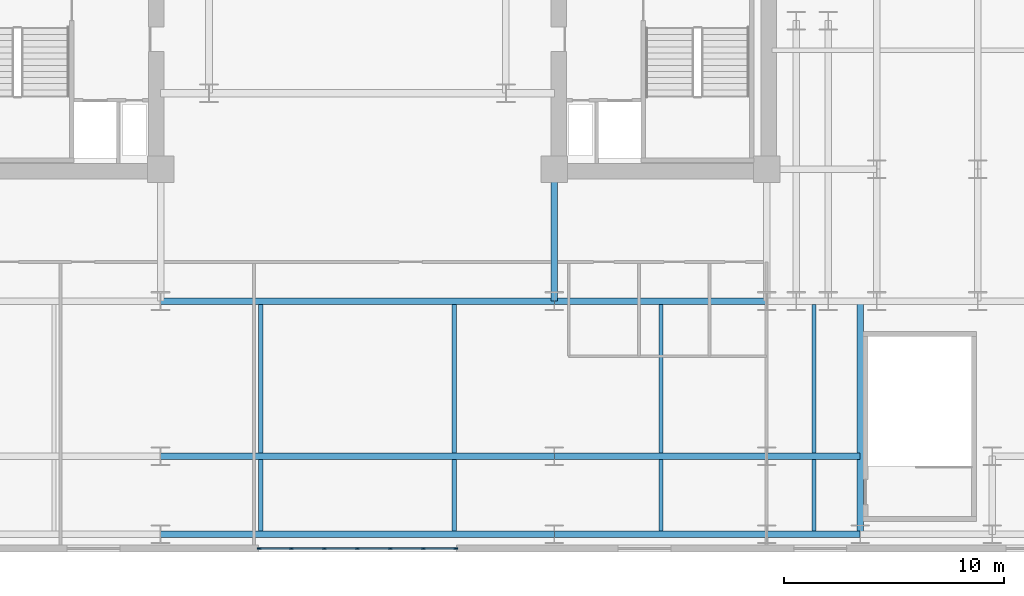
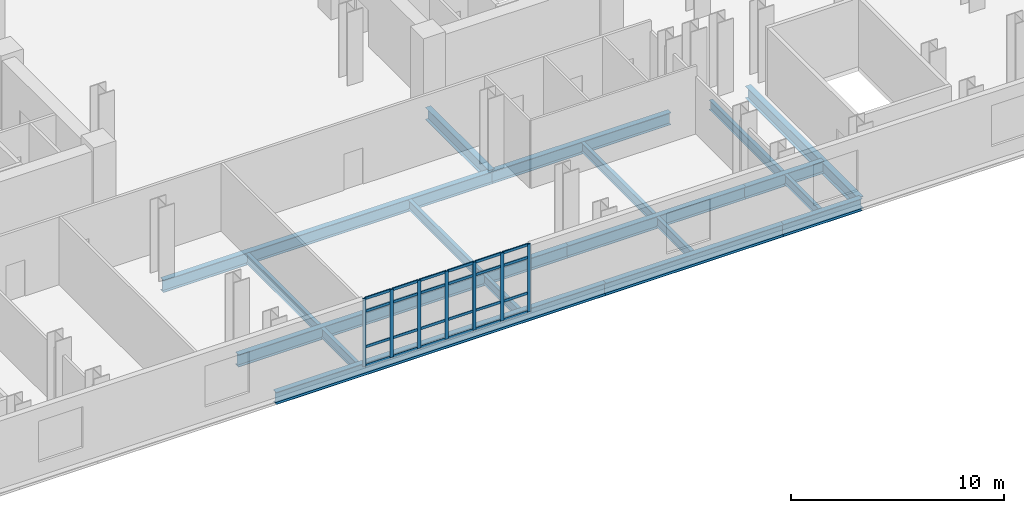
# One storey, part 3 of 13: 31 members, 18 beams, 1 element without a shape of its own.
"""IFC4 building model written with IfcOpenShell, lengths in metres."""

from ifc_helpers import new_model, si_unit, direction, frame, origin, origin_2d, place, context, subcontext, project, spatial, rectangle, i_section, extrude, material, layer, layer_set, material_profile, profile_set, type_object, element, aggregate, save


model = new_model("IFC4")

# Units and contexts
model_context = context("Model", 3, precision=1e-05, world=origin(), true_north=direction((0.0, 1.0)))
body_context = subcontext(model_context, "Body", "Model", "MODEL_VIEW")
ifc_project = project(units=[si_unit("LENGTHUNIT", "METRE"), si_unit("AREAUNIT", "SQUARE_METRE"), si_unit("VOLUMEUNIT", "CUBIC_METRE"), si_unit("PLANEANGLEUNIT", "RADIAN"), si_unit("MASSUNIT", "GRAM", prefix="KILO")], contexts=[model_context])

# Site, building, storey
site_placement = place(None, origin())
site = spatial("IfcSite", under=ifc_project, at=site_placement, CompositionType="ELEMENT")
building_placement = place(site_placement, origin())
building = spatial("IfcBuilding", under=site, at=building_placement, Name="Velakula Bourse", CompositionType="ELEMENT")
storey_placement = place(building_placement, frame((0.0, 0.0, 22.800048828125)))
storey = spatial("IfcBuildingStorey", under=building, at=storey_placement, Name="L05", CompositionType="ELEMENT", Elevation=22.800048828125)

# Beams
ifc_material_1 = material(Name="Steel IS 2062 Grade 350 (E350)", Category="steel")
ifc_material_profile_1 = material_profile(ifc_material_1, i_section(OverallWidth=0.300048828125, OverallDepth=0.699951171875, WebThickness=0.01611328125, FlangeThickness=0.02490234375, at=origin_2d()), Name="Steel IS 2062 Grade 350 (E350)")
ifc_profile_set_1 = profile_set([ifc_material_profile_1], Name="Steel IS 2062 Grade 350 (E350)")
beam_type_1 = type_object("IfcBeamType", Name="BM-POD-700", PredefinedType="BEAM", material=ifc_profile_set_1)
beam_1_placement = place(storey_placement, frame((8.949951171875, -14.60009765625, -0.60009765625), z_axis=(0.0, 1.0, 0.0), x_axis=(-1.0, 0.0, 0.0)))
element("IfcBeam", 1, at=beam_1_placement, inside=storey, type_object=beam_type_1, Name="L05 Fulcrum Grid Girder FLC-ECS", PredefinedType="BEAM", context=body_context, shape_type="SweptSolid", body=[
    extrude(i_section(OverallWidth=0.300048828125, OverallDepth=0.699951171875, WebThickness=0.01611328125, FlangeThickness=0.02490234375, at=origin_2d()), origin(), (0.0, 0.0, 1.0), 6.0),
])
beam_2_placement = place(storey_placement, frame((-8.949951171875, -14.60009765625, -0.60009765625), z_axis=(1.0, 0.0, 0.0), x_axis=(0.0, 1.0, 0.0)))
element("IfcBeam", 2, at=beam_2_placement, inside=storey, type_object=beam_type_1, Name="L05 Fulcrum Grid Girder FLC-S2", PredefinedType="BEAM", context=body_context, shape_type="SweptSolid", body=[
    extrude(i_section(OverallWidth=0.300048828125, OverallDepth=0.699951171875, WebThickness=0.01611328125, FlangeThickness=0.02490234375, at=origin_2d()), origin(), (0.0, 0.0, 1.0), 17.89990234375),
])
beam_3_placement = place(storey_placement, frame((8.949951171875, -14.60009765625, -0.60009765625), z_axis=(1.0, 0.0, 0.0), x_axis=(0.0, 1.0, 0.0)))
element("IfcBeam", 3, at=beam_3_placement, inside=storey, type_object=beam_type_1, Name="L05 Fulcrum Grid Girder FLC-S3", PredefinedType="BEAM", context=body_context, shape_type="SweptSolid", body=[
    extrude(i_section(OverallWidth=0.300048828125, OverallDepth=0.699951171875, WebThickness=0.01611328125, FlangeThickness=0.02490234375, at=origin_2d()), origin(), (0.0, 0.0, 1.0), 9.650146484375),
])
beam_4_placement = place(storey_placement, frame((22.85009765625, -25.199951171875, -0.60009765625), z_axis=(0.0, 1.0, 0.0), x_axis=(-1.0, 0.0, 0.0)))
element("IfcBeam", 4, at=beam_4_placement, inside=storey, type_object=beam_type_1, Name="L05 Podium Stairwell Header Girder STE", PredefinedType="BEAM", context=body_context, shape_type="SweptSolid", body=[
    extrude(i_section(OverallWidth=0.300048828125, OverallDepth=0.699951171875, WebThickness=0.01611328125, FlangeThickness=0.02490234375, at=origin_2d()), origin(), (0.0, 0.0, 1.0), 10.599853515625),
])
beam_5_placement = place(storey_placement, frame((-8.949951171875, -25.199951171875, -0.60009765625), z_axis=(1.0, 0.0, 0.0), x_axis=(0.0, 1.0, 0.0)))
element("IfcBeam", 5, at=beam_5_placement, inside=storey, type_object=beam_type_1, Name="L05 Podium E-W Girder 06", PredefinedType="BEAM", context=body_context, shape_type="SweptSolid", body=[
    extrude(i_section(OverallWidth=0.300048828125, OverallDepth=0.699951171875, WebThickness=0.01611328125, FlangeThickness=0.02490234375, at=origin_2d()), origin(), (0.0, 0.0, 1.0), 17.89990234375),
])
beam_6_placement = place(storey_placement, frame((8.949951171875, -25.199951171875, -0.60009765625), z_axis=(1.0, 0.0, 0.0), x_axis=(0.0, 1.0, 0.0)))
element("IfcBeam", 6, at=beam_6_placement, inside=storey, type_object=beam_type_1, Name="L05 Podium E-W Girder 07", PredefinedType="BEAM", context=body_context, shape_type="SweptSolid", body=[
    extrude(i_section(OverallWidth=0.300048828125, OverallDepth=0.699951171875, WebThickness=0.01611328125, FlangeThickness=0.02490234375, at=origin_2d()), origin(), (0.0, 0.0, 1.0), 9.650146484375),
])
beam_7_placement = place(storey_placement, frame((18.60009765625, -25.199951171875, -0.60009765625), z_axis=(1.0, 0.0, 0.0), x_axis=(0.0, 1.0, 0.0)))
element("IfcBeam", 7, at=beam_7_placement, inside=storey, type_object=beam_type_1, Name="L05 Podium E-W Girder 08", PredefinedType="BEAM", context=body_context, shape_type="SweptSolid", body=[
    extrude(i_section(OverallWidth=0.300048828125, OverallDepth=0.699951171875, WebThickness=0.01611328125, FlangeThickness=0.02490234375, at=origin_2d()), origin(), (0.0, 0.0, 1.0), 4.25),
])
beam_8_placement = place(storey_placement, frame((-8.949951171875, -21.64990234375, -0.60009765625), z_axis=(1.0, 0.0, 0.0), x_axis=(0.0, 1.0, 0.0)))
element("IfcBeam", 8, at=beam_8_placement, inside=storey, type_object=beam_type_1, Name="L05 Podium E-W Girder 16", PredefinedType="BEAM", context=body_context, shape_type="SweptSolid", body=[
    extrude(i_section(OverallWidth=0.300048828125, OverallDepth=0.699951171875, WebThickness=0.01611328125, FlangeThickness=0.02490234375, at=origin_2d()), origin(), (0.0, 0.0, 1.0), 17.89990234375),
])
beam_9_placement = place(storey_placement, frame((8.949951171875, -21.64990234375, -0.60009765625), z_axis=(1.0, 0.0, 0.0), x_axis=(0.0, 1.0, 0.0)))
element("IfcBeam", 9, at=beam_9_placement, inside=storey, type_object=beam_type_1, Name="L05 Podium E-W Girder 17", PredefinedType="BEAM", context=body_context, shape_type="SweptSolid", body=[
    extrude(i_section(OverallWidth=0.300048828125, OverallDepth=0.699951171875, WebThickness=0.01611328125, FlangeThickness=0.02490234375, at=origin_2d()), origin(), (0.0, 0.0, 1.0), 9.650146484375),
])
beam_10_placement = place(storey_placement, frame((18.60009765625, -21.64990234375, -0.60009765625), z_axis=(1.0, 0.0, 0.0), x_axis=(0.0, 1.0, 0.0)))
element("IfcBeam", 10, at=beam_10_placement, inside=storey, type_object=beam_type_1, Name="L05 Podium E-W Girder 18", PredefinedType="BEAM", context=body_context, shape_type="SweptSolid", body=[
    extrude(i_section(OverallWidth=0.300048828125, OverallDepth=0.699951171875, WebThickness=0.01611328125, FlangeThickness=0.02490234375, at=origin_2d()), origin(), (0.0, 0.0, 1.0), 4.25),
])
ifc_material_profile_2 = material_profile(ifc_material_1, i_section(OverallWidth=0.18994140625, OverallDepth=0.550048828125, WebThickness=0.01123046875, FlangeThickness=0.019287109375, at=origin_2d()), Name="Steel IS 2062 Grade 350 (E350)")
ifc_profile_set_2 = profile_set([ifc_material_profile_2], Name="Steel IS 2062 Grade 350 (E350)")
beam_type_2 = type_object("IfcBeamType", Name="JST-POD-550", PredefinedType="JOIST", material=ifc_profile_set_2)
beam_11_placement = place(storey_placement, frame((-4.39990234375, -25.050048828125, -0.525146484375), z_axis=(0.0, 1.0, 0.0), x_axis=(-1.0, 0.0, 0.0)))
element("IfcBeam", 11, at=beam_11_placement, inside=storey, type_object=beam_type_2, Name="L05 Station Podium Floor Joist 13", PredefinedType="JOIST", context=body_context, shape_type="SweptSolid", body=[
    extrude(i_section(OverallWidth=0.18994140625, OverallDepth=0.550048828125, WebThickness=0.01123046875, FlangeThickness=0.019287109375, at=origin_2d()), origin(), (0.0, 0.0, 1.0), 3.25),
])
beam_12_placement = place(storey_placement, frame((-4.39990234375, -21.5, -0.525146484375), z_axis=(0.0, 1.0, 0.0), x_axis=(-1.0, 0.0, 0.0)))
element("IfcBeam", 12, at=beam_12_placement, inside=storey, type_object=beam_type_2, Name="L05 Station Podium Floor Joist 14", PredefinedType="JOIST", context=body_context, shape_type="SweptSolid", body=[
    extrude(i_section(OverallWidth=0.18994140625, OverallDepth=0.550048828125, WebThickness=0.01123046875, FlangeThickness=0.019287109375, at=origin_2d()), origin(), (0.0, 0.0, 1.0), 6.75),
])
beam_13_placement = place(storey_placement, frame((4.39990234375, -25.050048828125, -0.525146484375), z_axis=(0.0, 1.0, 0.0), x_axis=(-1.0, 0.0, 0.0)))
element("IfcBeam", 13, at=beam_13_placement, inside=storey, type_object=beam_type_2, Name="L05 Station Podium Floor Joist 17", PredefinedType="JOIST", context=body_context, shape_type="SweptSolid", body=[
    extrude(i_section(OverallWidth=0.18994140625, OverallDepth=0.550048828125, WebThickness=0.01123046875, FlangeThickness=0.019287109375, at=origin_2d()), origin(), (0.0, 0.0, 1.0), 3.25),
])
beam_14_placement = place(storey_placement, frame((4.39990234375, -21.5, -0.525146484375), z_axis=(0.0, 1.0, 0.0), x_axis=(-1.0, 0.0, 0.0)))
element("IfcBeam", 14, at=beam_14_placement, inside=storey, type_object=beam_type_2, Name="L05 Station Podium Floor Joist 18", PredefinedType="JOIST", context=body_context, shape_type="SweptSolid", body=[
    extrude(i_section(OverallWidth=0.18994140625, OverallDepth=0.550048828125, WebThickness=0.01123046875, FlangeThickness=0.019287109375, at=origin_2d()), origin(), (0.0, 0.0, 1.0), 6.75),
])
beam_15_placement = place(storey_placement, frame((13.800048828125, -25.050048828125, -0.525146484375), z_axis=(0.0, 1.0, 0.0), x_axis=(-1.0, 0.0, 0.0)))
element("IfcBeam", 15, at=beam_15_placement, inside=storey, type_object=beam_type_2, Name="L05 Station Podium Floor Joist 21", PredefinedType="JOIST", context=body_context, shape_type="SweptSolid", body=[
    extrude(i_section(OverallWidth=0.18994140625, OverallDepth=0.550048828125, WebThickness=0.01123046875, FlangeThickness=0.019287109375, at=origin_2d()), origin(), (0.0, 0.0, 1.0), 3.25),
])
beam_16_placement = place(storey_placement, frame((13.800048828125, -21.5, -0.525146484375), z_axis=(0.0, 1.0, 0.0), x_axis=(-1.0, 0.0, 0.0)))
element("IfcBeam", 16, at=beam_16_placement, inside=storey, type_object=beam_type_2, Name="L05 Station Podium Floor Joist 22", PredefinedType="JOIST", context=body_context, shape_type="SweptSolid", body=[
    extrude(i_section(OverallWidth=0.18994140625, OverallDepth=0.550048828125, WebThickness=0.01123046875, FlangeThickness=0.019287109375, at=origin_2d()), origin(), (0.0, 0.0, 1.0), 6.75),
])
beam_17_placement = place(storey_placement, frame((20.75, -25.050048828125, -0.525146484375), z_axis=(0.0, 1.0, 0.0), x_axis=(-1.0, 0.0, 0.0)))
element("IfcBeam", 17, at=beam_17_placement, inside=storey, type_object=beam_type_2, Name="L05 Station Podium Floor Joist 25", PredefinedType="JOIST", context=body_context, shape_type="SweptSolid", body=[
    extrude(i_section(OverallWidth=0.18994140625, OverallDepth=0.550048828125, WebThickness=0.01123046875, FlangeThickness=0.019287109375, at=origin_2d()), origin(), (0.0, 0.0, 1.0), 3.25),
])
beam_18_placement = place(storey_placement, frame((20.75, -21.5, -0.525146484375), z_axis=(0.0, 1.0, 0.0), x_axis=(-1.0, 0.0, 0.0)))
element("IfcBeam", 18, at=beam_18_placement, inside=storey, type_object=beam_type_2, Name="L05 Station Podium Floor Joist 26", PredefinedType="JOIST", context=body_context, shape_type="SweptSolid", body=[
    extrude(i_section(OverallWidth=0.18994140625, OverallDepth=0.550048828125, WebThickness=0.01123046875, FlangeThickness=0.019287109375, at=origin_2d()), origin(), (0.0, 0.0, 1.0), 6.75),
])

# Curtain wall, members
ifc_material_2 = material(Name="Anodised bronze architectural aluminium", Category="aluminium")
ifc_layer = layer(ifc_material_2, 0.179931640625, Name="Anodised bronze architectural aluminium", Category="aluminium")
ifc_layer_set = layer_set([ifc_layer], Name="Anodised bronze architectural aluminium")
curtain_wall_type = type_object("IfcCurtainWallType", Name="CW-PD1", PredefinedType="NOTDEFINED", material=ifc_layer_set)
curtain_wall_placement = place(storey_placement, origin())
curtain_wall = element("IfcCurtainWall", 19, at=curtain_wall_placement, inside=storey, type_object=curtain_wall_type, Name="L05 South Station Galleria Curtain Wall 2", PredefinedType="NOTDEFINED")
ifc_material_profile_3 = material_profile(ifc_material_2, rectangle(XDim=0.06005859375, YDim=0.179931640625, at=origin_2d()), Name="Anodised bronze architectural aluminium")
ifc_profile_set_3 = profile_set([ifc_material_profile_3], Name="Anodised bronze architectural aluminium")
member_type_1 = type_object("IfcMemberType", Name="MUL-CW-PD1", PredefinedType="MULLION", material=ifc_profile_set_3)
member_1_placement = place(storey_placement, frame((4.469970703125, -25.840087890625, 0.0), z_axis=(0.0, 0.0, 1.0), x_axis=(0.0, -1.0, 0.0)))
member_1 = element("IfcMember", 20, at=member_1_placement, type_object=member_type_1, Name="CW-PD1 mullion 1", PredefinedType="MULLION", context=body_context, shape_type="SweptSolid", body=[
    extrude(rectangle(XDim=0.06005859375, YDim=0.179931640625, at=origin_2d()), origin(), (0.0, 0.0, 1.0), 3.89990234375),
])
member_2_placement = place(storey_placement, frame((3.0, -25.840087890625, 0.0), z_axis=(0.0, 0.0, 1.0), x_axis=(0.0, -1.0, 0.0)))
member_2 = element("IfcMember", 21, at=member_2_placement, type_object=member_type_1, Name="CW-PD1 mullion 2", PredefinedType="MULLION", context=body_context, shape_type="SweptSolid", body=[
    extrude(rectangle(XDim=0.06005859375, YDim=0.179931640625, at=origin_2d()), origin(), (0.0, 0.0, 1.0), 3.89990234375),
])
member_3_placement = place(storey_placement, frame((1.5, -25.840087890625, 0.0), z_axis=(0.0, 0.0, 1.0), x_axis=(0.0, -1.0, 0.0)))
member_3 = element("IfcMember", 22, at=member_3_placement, type_object=member_type_1, Name="CW-PD1 mullion 3", PredefinedType="MULLION", context=body_context, shape_type="SweptSolid", body=[
    extrude(rectangle(XDim=0.06005859375, YDim=0.179931640625, at=origin_2d()), origin(), (0.0, 0.0, 1.0), 3.89990234375),
])
member_4_placement = place(storey_placement, frame((0.0, -25.840087890625, 0.0), z_axis=(0.0, 0.0, 1.0), x_axis=(0.0, -1.0, 0.0)))
member_4 = element("IfcMember", 23, at=member_4_placement, type_object=member_type_1, Name="CW-PD1 mullion 4", PredefinedType="MULLION", context=body_context, shape_type="SweptSolid", body=[
    extrude(rectangle(XDim=0.06005859375, YDim=0.179931640625, at=origin_2d()), origin(), (0.0, 0.0, 1.0), 3.89990234375),
])
member_5_placement = place(storey_placement, frame((-1.5, -25.840087890625, 0.0), z_axis=(0.0, 0.0, 1.0), x_axis=(0.0, -1.0, 0.0)))
member_5 = element("IfcMember", 24, at=member_5_placement, type_object=member_type_1, Name="CW-PD1 mullion 5", PredefinedType="MULLION", context=body_context, shape_type="SweptSolid", body=[
    extrude(rectangle(XDim=0.06005859375, YDim=0.179931640625, at=origin_2d()), origin(), (0.0, 0.0, 1.0), 3.89990234375),
])
member_6_placement = place(storey_placement, frame((-3.0, -25.840087890625, 0.0), z_axis=(0.0, 0.0, 1.0), x_axis=(0.0, -1.0, 0.0)))
member_6 = element("IfcMember", 25, at=member_6_placement, type_object=member_type_1, Name="CW-PD1 mullion 6", PredefinedType="MULLION", context=body_context, shape_type="SweptSolid", body=[
    extrude(rectangle(XDim=0.06005859375, YDim=0.179931640625, at=origin_2d()), origin(), (0.0, 0.0, 1.0), 3.89990234375),
])
member_7_placement = place(storey_placement, frame((-4.469970703125, -25.840087890625, 0.0), z_axis=(0.0, 0.0, 1.0), x_axis=(0.0, -1.0, 0.0)))
member_7 = element("IfcMember", 26, at=member_7_placement, type_object=member_type_1, Name="CW-PD1 mullion 7", PredefinedType="MULLION", context=body_context, shape_type="SweptSolid", body=[
    extrude(rectangle(XDim=0.06005859375, YDim=0.179931640625, at=origin_2d()), origin(), (0.0, 0.0, 1.0), 3.89990234375),
])
ifc_material_profile_4 = material_profile(ifc_material_2, rectangle(XDim=0.06005859375, YDim=0.14990234375, at=origin_2d()), Name="Anodised bronze architectural aluminium")
ifc_profile_set_4 = profile_set([ifc_material_profile_4], Name="Anodised bronze architectural aluminium")
member_type_2 = type_object("IfcMemberType", Name="TRN-CW-PD1", PredefinedType="USERDEFINED", material=ifc_profile_set_4)
member_8_placement = place(storey_placement, frame((4.43994140625, -25.840087890625, 0.030029296875), z_axis=(-1.0, 0.0, 0.0), x_axis=(0.0, -1.0, 0.0)))
member_8 = element("IfcMember", 27, at=member_8_placement, type_object=member_type_2, Name="CW-PD1 transom 1.1", ObjectType="TRANSOM", PredefinedType="USERDEFINED", context=body_context, shape_type="SweptSolid", body=[
    extrude(rectangle(XDim=0.06005859375, YDim=0.14990234375, at=origin_2d()), origin(), (0.0, 0.0, 1.0), 1.409912109375),
])
member_9_placement = place(storey_placement, frame((4.43994140625, -25.840087890625, 1.099853515625), z_axis=(-1.0, 0.0, 0.0), x_axis=(0.0, -1.0, 0.0)))
member_9 = element("IfcMember", 28, at=member_9_placement, type_object=member_type_2, Name="CW-PD1 transom 1.2", ObjectType="TRANSOM", PredefinedType="USERDEFINED", context=body_context, shape_type="SweptSolid", body=[
    extrude(rectangle(XDim=0.06005859375, YDim=0.14990234375, at=origin_2d()), origin(), (0.0, 0.0, 1.0), 1.409912109375),
])
member_10_placement = place(storey_placement, frame((4.43994140625, -25.840087890625, 3.14990234375), z_axis=(-1.0, 0.0, 0.0), x_axis=(0.0, -1.0, 0.0)))
member_10 = element("IfcMember", 29, at=member_10_placement, type_object=member_type_2, Name="CW-PD1 transom 1.3", ObjectType="TRANSOM", PredefinedType="USERDEFINED", context=body_context, shape_type="SweptSolid", body=[
    extrude(rectangle(XDim=0.06005859375, YDim=0.14990234375, at=origin_2d()), origin(), (0.0, 0.0, 1.0), 1.409912109375),
])
member_11_placement = place(storey_placement, frame((4.43994140625, -25.840087890625, 3.869873046875), z_axis=(-1.0, 0.0, 0.0), x_axis=(0.0, -1.0, 0.0)))
member_11 = element("IfcMember", 30, at=member_11_placement, type_object=member_type_2, Name="CW-PD1 transom 1.4", ObjectType="TRANSOM", PredefinedType="USERDEFINED", context=body_context, shape_type="SweptSolid", body=[
    extrude(rectangle(XDim=0.06005859375, YDim=0.14990234375, at=origin_2d()), origin(), (0.0, 0.0, 1.0), 1.409912109375),
])
member_12_placement = place(storey_placement, frame((2.969970703125, -25.840087890625, 0.030029296875), z_axis=(-1.0, 0.0, 0.0), x_axis=(0.0, -1.0, 0.0)))
member_12 = element("IfcMember", 31, at=member_12_placement, type_object=member_type_2, Name="CW-PD1 transom 2.1", ObjectType="TRANSOM", PredefinedType="USERDEFINED", context=body_context, shape_type="SweptSolid", body=[
    extrude(rectangle(XDim=0.06005859375, YDim=0.14990234375, at=origin_2d()), origin(), (0.0, 0.0, 1.0), 1.43994140625),
])
member_13_placement = place(storey_placement, frame((2.969970703125, -25.840087890625, 1.099853515625), z_axis=(-1.0, 0.0, 0.0), x_axis=(0.0, -1.0, 0.0)))
member_13 = element("IfcMember", 32, at=member_13_placement, type_object=member_type_2, Name="CW-PD1 transom 2.2", ObjectType="TRANSOM", PredefinedType="USERDEFINED", context=body_context, shape_type="SweptSolid", body=[
    extrude(rectangle(XDim=0.06005859375, YDim=0.14990234375, at=origin_2d()), origin(), (0.0, 0.0, 1.0), 1.43994140625),
])
member_14_placement = place(storey_placement, frame((2.969970703125, -25.840087890625, 3.14990234375), z_axis=(-1.0, 0.0, 0.0), x_axis=(0.0, -1.0, 0.0)))
member_14 = element("IfcMember", 33, at=member_14_placement, type_object=member_type_2, Name="CW-PD1 transom 2.3", ObjectType="TRANSOM", PredefinedType="USERDEFINED", context=body_context, shape_type="SweptSolid", body=[
    extrude(rectangle(XDim=0.06005859375, YDim=0.14990234375, at=origin_2d()), origin(), (0.0, 0.0, 1.0), 1.43994140625),
])
member_15_placement = place(storey_placement, frame((2.969970703125, -25.840087890625, 3.869873046875), z_axis=(-1.0, 0.0, 0.0), x_axis=(0.0, -1.0, 0.0)))
member_15 = element("IfcMember", 34, at=member_15_placement, type_object=member_type_2, Name="CW-PD1 transom 2.4", ObjectType="TRANSOM", PredefinedType="USERDEFINED", context=body_context, shape_type="SweptSolid", body=[
    extrude(rectangle(XDim=0.06005859375, YDim=0.14990234375, at=origin_2d()), origin(), (0.0, 0.0, 1.0), 1.43994140625),
])
member_16_placement = place(storey_placement, frame((1.469970703125, -25.840087890625, 0.030029296875), z_axis=(-1.0, 0.0, 0.0), x_axis=(0.0, -1.0, 0.0)))
member_16 = element("IfcMember", 35, at=member_16_placement, type_object=member_type_2, Name="CW-PD1 transom 3.1", ObjectType="TRANSOM", PredefinedType="USERDEFINED", context=body_context, shape_type="SweptSolid", body=[
    extrude(rectangle(XDim=0.06005859375, YDim=0.14990234375, at=origin_2d()), origin(), (0.0, 0.0, 1.0), 1.43994140625),
])
member_17_placement = place(storey_placement, frame((1.469970703125, -25.840087890625, 1.099853515625), z_axis=(-1.0, 0.0, 0.0), x_axis=(0.0, -1.0, 0.0)))
member_17 = element("IfcMember", 36, at=member_17_placement, type_object=member_type_2, Name="CW-PD1 transom 3.2", ObjectType="TRANSOM", PredefinedType="USERDEFINED", context=body_context, shape_type="SweptSolid", body=[
    extrude(rectangle(XDim=0.06005859375, YDim=0.14990234375, at=origin_2d()), origin(), (0.0, 0.0, 1.0), 1.43994140625),
])
member_18_placement = place(storey_placement, frame((1.469970703125, -25.840087890625, 3.14990234375), z_axis=(-1.0, 0.0, 0.0), x_axis=(0.0, -1.0, 0.0)))
member_18 = element("IfcMember", 37, at=member_18_placement, type_object=member_type_2, Name="CW-PD1 transom 3.3", ObjectType="TRANSOM", PredefinedType="USERDEFINED", context=body_context, shape_type="SweptSolid", body=[
    extrude(rectangle(XDim=0.06005859375, YDim=0.14990234375, at=origin_2d()), origin(), (0.0, 0.0, 1.0), 1.43994140625),
])
member_19_placement = place(storey_placement, frame((1.469970703125, -25.840087890625, 3.869873046875), z_axis=(-1.0, 0.0, 0.0), x_axis=(0.0, -1.0, 0.0)))
member_19 = element("IfcMember", 38, at=member_19_placement, type_object=member_type_2, Name="CW-PD1 transom 3.4", ObjectType="TRANSOM", PredefinedType="USERDEFINED", context=body_context, shape_type="SweptSolid", body=[
    extrude(rectangle(XDim=0.06005859375, YDim=0.14990234375, at=origin_2d()), origin(), (0.0, 0.0, 1.0), 1.43994140625),
])
member_20_placement = place(storey_placement, frame((-0.030029296875, -25.840087890625, 0.030029296875), z_axis=(-1.0, 0.0, 0.0), x_axis=(0.0, -1.0, 0.0)))
member_20 = element("IfcMember", 39, at=member_20_placement, type_object=member_type_2, Name="CW-PD1 transom 4.1", ObjectType="TRANSOM", PredefinedType="USERDEFINED", context=body_context, shape_type="SweptSolid", body=[
    extrude(rectangle(XDim=0.06005859375, YDim=0.14990234375, at=origin_2d()), origin(), (0.0, 0.0, 1.0), 1.43994140625),
])
member_21_placement = place(storey_placement, frame((-0.030029296875, -25.840087890625, 1.099853515625), z_axis=(-1.0, 0.0, 0.0), x_axis=(0.0, -1.0, 0.0)))
member_21 = element("IfcMember", 40, at=member_21_placement, type_object=member_type_2, Name="CW-PD1 transom 4.2", ObjectType="TRANSOM", PredefinedType="USERDEFINED", context=body_context, shape_type="SweptSolid", body=[
    extrude(rectangle(XDim=0.06005859375, YDim=0.14990234375, at=origin_2d()), origin(), (0.0, 0.0, 1.0), 1.43994140625),
])
member_22_placement = place(storey_placement, frame((-0.030029296875, -25.840087890625, 3.14990234375), z_axis=(-1.0, 0.0, 0.0), x_axis=(0.0, -1.0, 0.0)))
member_22 = element("IfcMember", 41, at=member_22_placement, type_object=member_type_2, Name="CW-PD1 transom 4.3", ObjectType="TRANSOM", PredefinedType="USERDEFINED", context=body_context, shape_type="SweptSolid", body=[
    extrude(rectangle(XDim=0.06005859375, YDim=0.14990234375, at=origin_2d()), origin(), (0.0, 0.0, 1.0), 1.43994140625),
])
member_23_placement = place(storey_placement, frame((-0.030029296875, -25.840087890625, 3.869873046875), z_axis=(-1.0, 0.0, 0.0), x_axis=(0.0, -1.0, 0.0)))
member_23 = element("IfcMember", 42, at=member_23_placement, type_object=member_type_2, Name="CW-PD1 transom 4.4", ObjectType="TRANSOM", PredefinedType="USERDEFINED", context=body_context, shape_type="SweptSolid", body=[
    extrude(rectangle(XDim=0.06005859375, YDim=0.14990234375, at=origin_2d()), origin(), (0.0, 0.0, 1.0), 1.43994140625),
])
member_24_placement = place(storey_placement, frame((-1.530029296875, -25.840087890625, 0.030029296875), z_axis=(-1.0, 0.0, 0.0), x_axis=(0.0, -1.0, 0.0)))
member_24 = element("IfcMember", 43, at=member_24_placement, type_object=member_type_2, Name="CW-PD1 transom 5.1", ObjectType="TRANSOM", PredefinedType="USERDEFINED", context=body_context, shape_type="SweptSolid", body=[
    extrude(rectangle(XDim=0.06005859375, YDim=0.14990234375, at=origin_2d()), origin(), (0.0, 0.0, 1.0), 1.43994140625),
])
member_25_placement = place(storey_placement, frame((-1.530029296875, -25.840087890625, 1.099853515625), z_axis=(-1.0, 0.0, 0.0), x_axis=(0.0, -1.0, 0.0)))
member_25 = element("IfcMember", 44, at=member_25_placement, type_object=member_type_2, Name="CW-PD1 transom 5.2", ObjectType="TRANSOM", PredefinedType="USERDEFINED", context=body_context, shape_type="SweptSolid", body=[
    extrude(rectangle(XDim=0.06005859375, YDim=0.14990234375, at=origin_2d()), origin(), (0.0, 0.0, 1.0), 1.43994140625),
])
member_26_placement = place(storey_placement, frame((-1.530029296875, -25.840087890625, 3.14990234375), z_axis=(-1.0, 0.0, 0.0), x_axis=(0.0, -1.0, 0.0)))
member_26 = element("IfcMember", 45, at=member_26_placement, type_object=member_type_2, Name="CW-PD1 transom 5.3", ObjectType="TRANSOM", PredefinedType="USERDEFINED", context=body_context, shape_type="SweptSolid", body=[
    extrude(rectangle(XDim=0.06005859375, YDim=0.14990234375, at=origin_2d()), origin(), (0.0, 0.0, 1.0), 1.43994140625),
])
member_27_placement = place(storey_placement, frame((-1.530029296875, -25.840087890625, 3.869873046875), z_axis=(-1.0, 0.0, 0.0), x_axis=(0.0, -1.0, 0.0)))
member_27 = element("IfcMember", 46, at=member_27_placement, type_object=member_type_2, Name="CW-PD1 transom 5.4", ObjectType="TRANSOM", PredefinedType="USERDEFINED", context=body_context, shape_type="SweptSolid", body=[
    extrude(rectangle(XDim=0.06005859375, YDim=0.14990234375, at=origin_2d()), origin(), (0.0, 0.0, 1.0), 1.43994140625),
])
member_28_placement = place(storey_placement, frame((-3.030029296875, -25.840087890625, 0.030029296875), z_axis=(-1.0, 0.0, 0.0), x_axis=(0.0, -1.0, 0.0)))
member_28 = element("IfcMember", 47, at=member_28_placement, type_object=member_type_2, Name="CW-PD1 transom 6.1", ObjectType="TRANSOM", PredefinedType="USERDEFINED", context=body_context, shape_type="SweptSolid", body=[
    extrude(rectangle(XDim=0.06005859375, YDim=0.14990234375, at=origin_2d()), origin(), (0.0, 0.0, 1.0), 1.409912109375),
])
member_29_placement = place(storey_placement, frame((-3.030029296875, -25.840087890625, 1.099853515625), z_axis=(-1.0, 0.0, 0.0), x_axis=(0.0, -1.0, 0.0)))
member_29 = element("IfcMember", 48, at=member_29_placement, type_object=member_type_2, Name="CW-PD1 transom 6.2", ObjectType="TRANSOM", PredefinedType="USERDEFINED", context=body_context, shape_type="SweptSolid", body=[
    extrude(rectangle(XDim=0.06005859375, YDim=0.14990234375, at=origin_2d()), origin(), (0.0, 0.0, 1.0), 1.409912109375),
])
member_30_placement = place(storey_placement, frame((-3.030029296875, -25.840087890625, 3.14990234375), z_axis=(-1.0, 0.0, 0.0), x_axis=(0.0, -1.0, 0.0)))
member_30 = element("IfcMember", 49, at=member_30_placement, type_object=member_type_2, Name="CW-PD1 transom 6.3", ObjectType="TRANSOM", PredefinedType="USERDEFINED", context=body_context, shape_type="SweptSolid", body=[
    extrude(rectangle(XDim=0.06005859375, YDim=0.14990234375, at=origin_2d()), origin(), (0.0, 0.0, 1.0), 1.409912109375),
])
member_31_placement = place(storey_placement, frame((-3.030029296875, -25.840087890625, 3.869873046875), z_axis=(-1.0, 0.0, 0.0), x_axis=(0.0, -1.0, 0.0)))
member_31 = element("IfcMember", 50, at=member_31_placement, type_object=member_type_2, Name="CW-PD1 transom 6.4", ObjectType="TRANSOM", PredefinedType="USERDEFINED", context=body_context, shape_type="SweptSolid", body=[
    extrude(rectangle(XDim=0.06005859375, YDim=0.14990234375, at=origin_2d()), origin(), (0.0, 0.0, 1.0), 1.409912109375),
])
aggregate(curtain_wall, [member_1, member_2, member_3, member_4, member_5, member_6, member_7, member_8, member_9, member_10, member_11, member_12, member_13, member_14, member_15, member_16, member_17, member_18, member_19, member_20, member_21, member_22, member_23, member_24, member_25, member_26, member_27, member_28, member_29, member_30, member_31])

save(model, "model.ifc")
